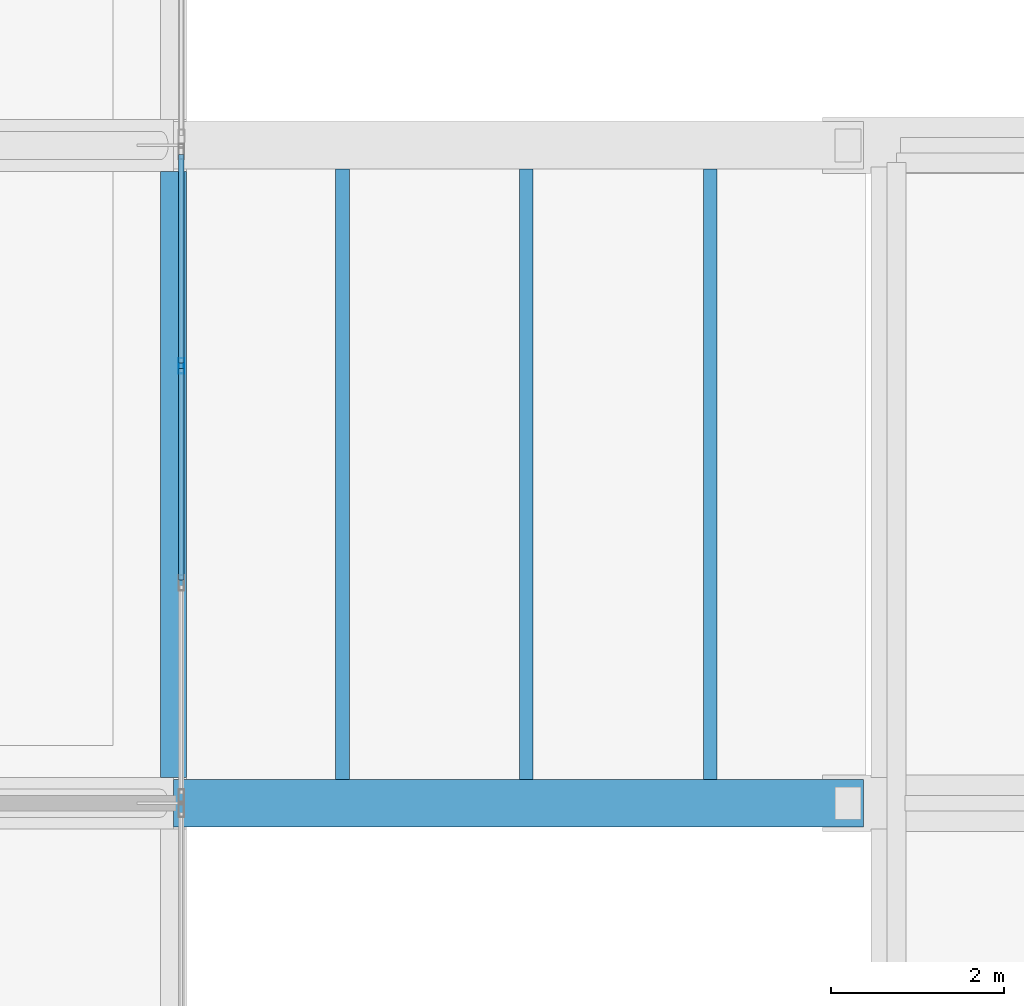
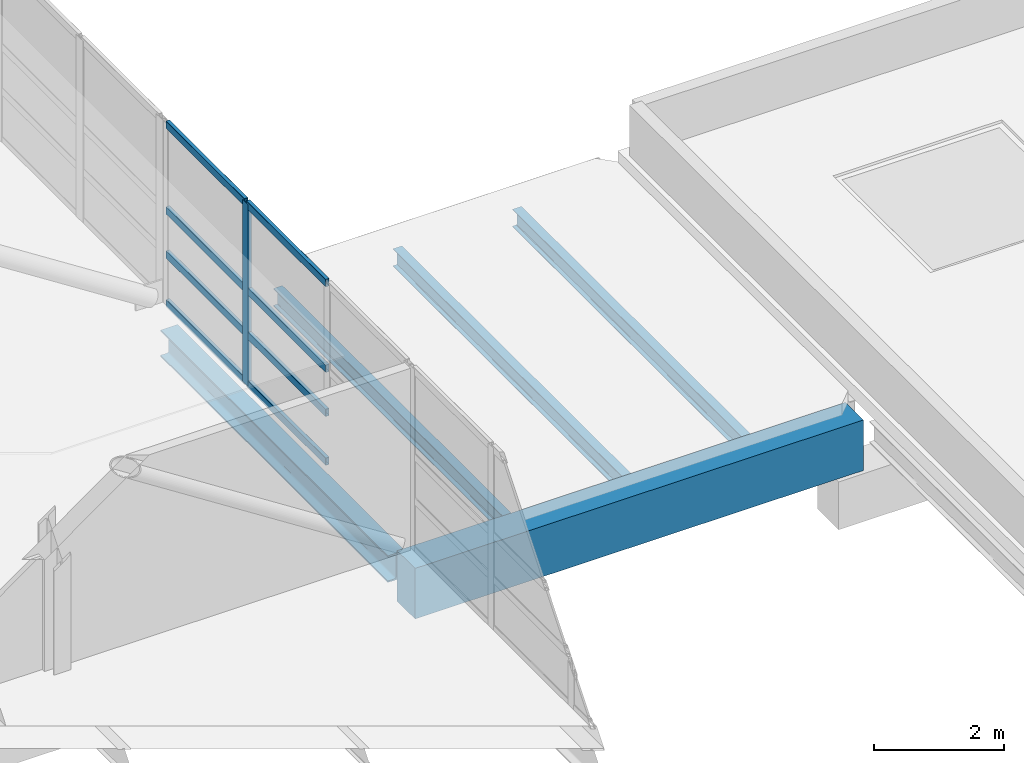
# One storey, part 12 of 107: 9 members, 5 beams, 1 element without a shape of its own.
"""IFC4 building model written with IfcOpenShell, lengths in metres."""

from ifc_helpers import new_model, si_unit, direction, frame, origin, origin_2d, place, context, subcontext, project, spatial, rectangle, hollow_rectangle, i_section, extrude, material, material_profile, profile_set, type_object, element, aggregate, save


model = new_model("IFC4")

# Units and contexts
model_context = context("Model", 3, precision=1e-05, world=origin(), true_north=direction((0.0, 1.0)))
body_context = subcontext(model_context, "Body", "Model", "MODEL_VIEW")
ifc_project = project(units=[si_unit("LENGTHUNIT", "METRE"), si_unit("AREAUNIT", "SQUARE_METRE"), si_unit("VOLUMEUNIT", "CUBIC_METRE"), si_unit("PLANEANGLEUNIT", "RADIAN"), si_unit("MASSUNIT", "GRAM", prefix="KILO")], contexts=[model_context])

# Site, building, storey
site_placement = place(None, origin())
site = spatial("IfcSite", under=ifc_project, at=site_placement, CompositionType="ELEMENT")
building_placement = place(site_placement, origin())
building = spatial("IfcBuilding", under=site, at=building_placement, Name="Khelvaren Railside Concert Hall", CompositionType="ELEMENT")
storey_placement = place(building_placement, frame((0.0, 0.0, 15.0)))
storey = spatial("IfcBuildingStorey", under=building, at=storey_placement, Name="L03", CompositionType="ELEMENT", Elevation=15.0)

# Curtain wall, members
ifc_material_1 = material(Name="Double-glazed low-E dark acoustic glass", Category="glass")
curtain_wall_type = type_object("IfcCurtainWallType", Name="CW65", PredefinedType="USERDEFINED", material=ifc_material_1)
curtain_wall_placement = place(storey_placement, origin())
curtain_wall = element("IfcCurtainWall", 1, at=curtain_wall_placement, inside=storey, type_object=curtain_wall_type, Name="Unitised Curtain Wall CW-V1-L03-E-8", ObjectType="UNITISED CURTAIN WALL", PredefinedType="USERDEFINED")
ifc_material_2 = material(Name="Anodised architectural aluminium 6063-T6", Category="aluminium")
ifc_material_profile_1 = material_profile(ifc_material_2, hollow_rectangle(XDim=0.06494140625, YDim=0.179931640625, WallThickness=0.00390625, InnerFilletRadius=0.001953125, OuterFilletRadius=0.00390625, at=origin_2d()), Name="CWM 65x180x4")
ifc_profile_set_1 = profile_set([ifc_material_profile_1], Name="Anodised architectural aluminium 6063-T6")
member_type_1 = type_object("IfcMemberType", Name="CWM63", PredefinedType="MULLION", material=ifc_profile_set_1)
member_1_placement = place(storey_placement, frame((55.93994140625, 12.6533203125, 0.0), z_axis=(0.0, 0.0, 1.0), x_axis=(1.0, 0.0, 0.0)))
member_1 = element("IfcMember", 2, at=member_1_placement, type_object=member_type_1, Name="CW65 mullion 2", PredefinedType="MULLION", context=body_context, shape_type="SweptSolid", body=[
    extrude(hollow_rectangle(XDim=0.06494140625, YDim=0.179931640625, WallThickness=0.00390625, InnerFilletRadius=0.001953125, OuterFilletRadius=0.00390625, at=origin_2d()), origin(), (0.0, 0.0, 1.0), 3.419921875),
])
ifc_material_profile_2 = material_profile(ifc_material_2, hollow_rectangle(XDim=0.06494140625, YDim=0.139892578125, WallThickness=0.00390625, InnerFilletRadius=0.001953125, OuterFilletRadius=0.00390625, at=origin_2d()), Name="CWT 65x140x4")
ifc_profile_set_2 = profile_set([ifc_material_profile_2], Name="Anodised architectural aluminium 6063-T6")
member_type_2 = type_object("IfcMemberType", Name="CWT72", PredefinedType="USERDEFINED", material=ifc_profile_set_2)
member_2_placement = place(storey_placement, frame((55.93994140625, 15.094970703125, 0.032470703125), z_axis=(0.0, -1.0, 0.0), x_axis=(1.0, 0.0, 0.0)))
member_2 = element("IfcMember", 3, at=member_2_placement, type_object=member_type_2, Name="CW65 transom 1.1", ObjectType="TRANSOM", PredefinedType="USERDEFINED", context=body_context, shape_type="SweptSolid", body=[
    extrude(hollow_rectangle(XDim=0.06494140625, YDim=0.139892578125, WallThickness=0.00390625, InnerFilletRadius=0.001953125, OuterFilletRadius=0.00390625, at=origin_2d()), origin(), (0.0, 0.0, 1.0), 2.4091796875),
])
member_3_placement = place(storey_placement, frame((55.93994140625, 15.094970703125, 0.949951171875), z_axis=(0.0, -1.0, 0.0), x_axis=(1.0, 0.0, 0.0)))
member_3 = element("IfcMember", 4, at=member_3_placement, type_object=member_type_2, Name="CW65 transom 1.2", ObjectType="TRANSOM", PredefinedType="USERDEFINED", context=body_context, shape_type="SweptSolid", body=[
    extrude(hollow_rectangle(XDim=0.06494140625, YDim=0.139892578125, WallThickness=0.00390625, InnerFilletRadius=0.001953125, OuterFilletRadius=0.00390625, at=origin_2d()), origin(), (0.0, 0.0, 1.0), 2.4091796875),
])
member_4_placement = place(storey_placement, frame((55.93994140625, 15.094970703125, 1.7783203125), z_axis=(0.0, -1.0, 0.0), x_axis=(1.0, 0.0, 0.0)))
member_4 = element("IfcMember", 5, at=member_4_placement, type_object=member_type_2, Name="CW65 transom 1.3", ObjectType="TRANSOM", PredefinedType="USERDEFINED", context=body_context, shape_type="SweptSolid", body=[
    extrude(hollow_rectangle(XDim=0.06494140625, YDim=0.139892578125, WallThickness=0.00390625, InnerFilletRadius=0.001953125, OuterFilletRadius=0.00390625, at=origin_2d()), origin(), (0.0, 0.0, 1.0), 2.4091796875),
])
member_5_placement = place(storey_placement, frame((55.93994140625, 15.094970703125, 3.387451171875), z_axis=(0.0, -1.0, 0.0), x_axis=(1.0, 0.0, 0.0)))
member_5 = element("IfcMember", 6, at=member_5_placement, type_object=member_type_2, Name="CW65 transom 1.4", ObjectType="TRANSOM", PredefinedType="USERDEFINED", context=body_context, shape_type="SweptSolid", body=[
    extrude(hollow_rectangle(XDim=0.06494140625, YDim=0.139892578125, WallThickness=0.00390625, InnerFilletRadius=0.001953125, OuterFilletRadius=0.00390625, at=origin_2d()), origin(), (0.0, 0.0, 1.0), 2.4091796875),
])
member_6_placement = place(storey_placement, frame((55.93994140625, 12.620849609375, 0.032470703125), z_axis=(0.0, -1.0, 0.0), x_axis=(1.0, 0.0, 0.0)))
member_6 = element("IfcMember", 7, at=member_6_placement, type_object=member_type_2, Name="CW65 transom 2.1", ObjectType="TRANSOM", PredefinedType="USERDEFINED", context=body_context, shape_type="SweptSolid", body=[
    extrude(hollow_rectangle(XDim=0.06494140625, YDim=0.139892578125, WallThickness=0.00390625, InnerFilletRadius=0.001953125, OuterFilletRadius=0.00390625, at=origin_2d()), origin(), (0.0, 0.0, 1.0), 2.441650390625),
])
member_7_placement = place(storey_placement, frame((55.93994140625, 12.620849609375, 0.949951171875), z_axis=(0.0, -1.0, 0.0), x_axis=(1.0, 0.0, 0.0)))
member_7 = element("IfcMember", 8, at=member_7_placement, type_object=member_type_2, Name="CW65 transom 2.2", ObjectType="TRANSOM", PredefinedType="USERDEFINED", context=body_context, shape_type="SweptSolid", body=[
    extrude(hollow_rectangle(XDim=0.06494140625, YDim=0.139892578125, WallThickness=0.00390625, InnerFilletRadius=0.001953125, OuterFilletRadius=0.00390625, at=origin_2d()), origin(), (0.0, 0.0, 1.0), 2.441650390625),
])
member_8_placement = place(storey_placement, frame((55.93994140625, 12.620849609375, 1.7783203125), z_axis=(0.0, -1.0, 0.0), x_axis=(1.0, 0.0, 0.0)))
member_8 = element("IfcMember", 9, at=member_8_placement, type_object=member_type_2, Name="CW65 transom 2.3", ObjectType="TRANSOM", PredefinedType="USERDEFINED", context=body_context, shape_type="SweptSolid", body=[
    extrude(hollow_rectangle(XDim=0.06494140625, YDim=0.139892578125, WallThickness=0.00390625, InnerFilletRadius=0.001953125, OuterFilletRadius=0.00390625, at=origin_2d()), origin(), (0.0, 0.0, 1.0), 2.441650390625),
])
member_9_placement = place(storey_placement, frame((55.93994140625, 12.620849609375, 3.387451171875), z_axis=(0.0, -1.0, 0.0), x_axis=(1.0, 0.0, 0.0)))
member_9 = element("IfcMember", 10, at=member_9_placement, type_object=member_type_2, Name="CW65 transom 2.4", ObjectType="TRANSOM", PredefinedType="USERDEFINED", context=body_context, shape_type="SweptSolid", body=[
    extrude(hollow_rectangle(XDim=0.06494140625, YDim=0.139892578125, WallThickness=0.00390625, InnerFilletRadius=0.001953125, OuterFilletRadius=0.00390625, at=origin_2d()), origin(), (0.0, 0.0, 1.0), 2.441650390625),
])
aggregate(curtain_wall, [member_1, member_2, member_3, member_4, member_5, member_6, member_7, member_8, member_9])

# Beams
ifc_material_3 = material(Name="Concrete C40/50", Category="concrete")
ifc_material_profile_3 = material_profile(ifc_material_3, rectangle(XDim=0.550048828125, YDim=0.949951171875, at=origin_2d()), Name="RCB 550x950")
ifc_profile_set_3 = profile_set([ifc_material_profile_3], Name="Concrete C40/50")
beam_type_1 = type_object("IfcBeamType", Name="GR75", PredefinedType="T_BEAM", material=ifc_profile_set_3)
beam_1_placement = place(storey_placement, frame((55.85009765625, 7.60009765625, -0.695068359375), z_axis=(1.0, 0.0, 0.0), x_axis=(0.0, 1.0, 0.0)))
element("IfcBeam", 11, at=beam_1_placement, inside=storey, type_object=beam_type_1, Name="West Promenade Link Bridge L03 Bridge Girder 1", PredefinedType="T_BEAM", context=body_context, shape_type="SweptSolid", body=[
    extrude(rectangle(XDim=0.550048828125, YDim=0.949951171875, at=origin_2d()), origin(), (0.0, 0.0, 1.0), 7.969970703125),
])
ifc_material_4 = material(Name="Steel S355", Category="steel")
ifc_material_profile_4 = material_profile(ifc_material_4, i_section(OverallWidth=0.159912109375, OverallDepth=0.330078125, WebThickness=0.007568359375, FlangeThickness=0.011474609375, FilletRadius=0.01806640625, at=origin_2d()), Name="IPE 330")
ifc_profile_set_4 = profile_set([ifc_material_profile_4], Name="Steel S355")
beam_type_2 = type_object("IfcBeamType", Name="JS65", PredefinedType="JOIST", material=ifc_profile_set_4)
for number, where, z_axis, x_axis, name in (
    (12, (57.800048828125, 7.875, -0.385009765625), (0.0, 1.0, 0.0), (-1.0, 0.0, 0.0), "West Promenade Link Bridge L03 Bridge Cross Joist 1"),
    (13, (59.925048828125, 7.875, -0.385009765625), (0.0, 1.0, 0.0), (-1.0, 0.0, 0.0), "West Promenade Link Bridge L03 Bridge Cross Joist 2"),
    (14, (62.050048828125, 7.875, -0.385009765625), (0.0, 1.0, 0.0), (-1.0, 0.0, 0.0), "West Promenade Link Bridge L03 Bridge Cross Joist 3"),
):
    element("IfcBeam", number, at=place(storey_placement, frame(where, z_axis=z_axis, x_axis=x_axis)), inside=storey, type_object=beam_type_2, Name=name, PredefinedType="JOIST", context=body_context, shape_type="SweptSolid", body=[
        extrude(i_section(OverallWidth=0.159912109375, OverallDepth=0.330078125, WebThickness=0.007568359375, FlangeThickness=0.011474609375, FilletRadius=0.01806640625, at=origin_2d()), origin(), (0.0, 0.0, 1.0), 7.050048828125),
    ])
ifc_material_profile_5 = material_profile(ifc_material_4, i_section(OverallWidth=0.300048828125, OverallDepth=0.5, WebThickness=0.014404296875, FlangeThickness=0.028076171875, FilletRadius=0.027099609375, at=origin_2d()), Name="HEB 500")
ifc_profile_set_5 = profile_set([ifc_material_profile_5], Name="Steel S355")
beam_type_3 = type_object("IfcBeamType", Name="SP12", PredefinedType="SPANDREL", material=ifc_profile_set_5)
beam_2_placement = place(storey_placement, frame((55.85009765625, 7.89990234375, -0.530029296875), z_axis=(0.0, 1.0, 0.0), x_axis=(-1.0, 0.0, 0.0)))
element("IfcBeam", 15, at=beam_2_placement, inside=storey, type_object=beam_type_3, Name="V1 L03 Cantilever Tip Spandrel Y2", PredefinedType="SPANDREL", context=body_context, shape_type="SweptSolid", body=[
    extrude(i_section(OverallWidth=0.300048828125, OverallDepth=0.5, WebThickness=0.014404296875, FlangeThickness=0.028076171875, FilletRadius=0.027099609375, at=origin_2d()), origin(), (0.0, 0.0, 1.0), 7.0),
])

save(model, "model.ifc")
